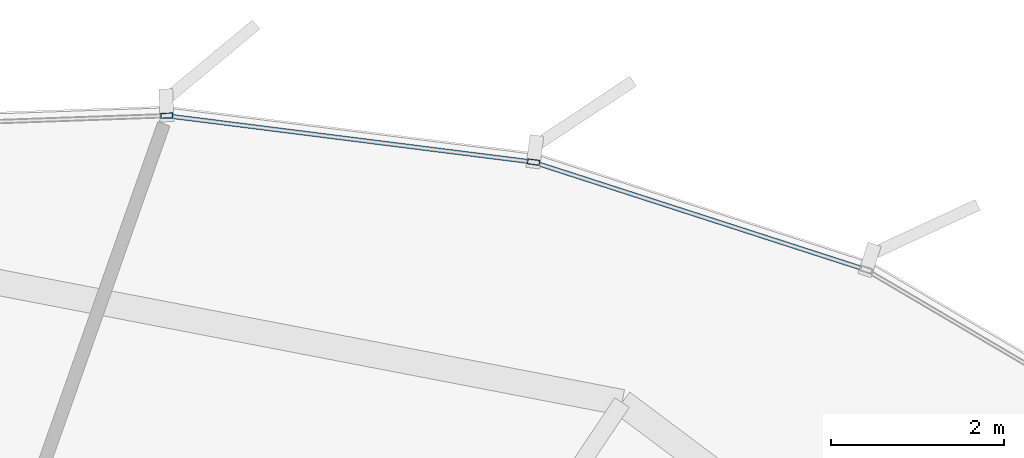
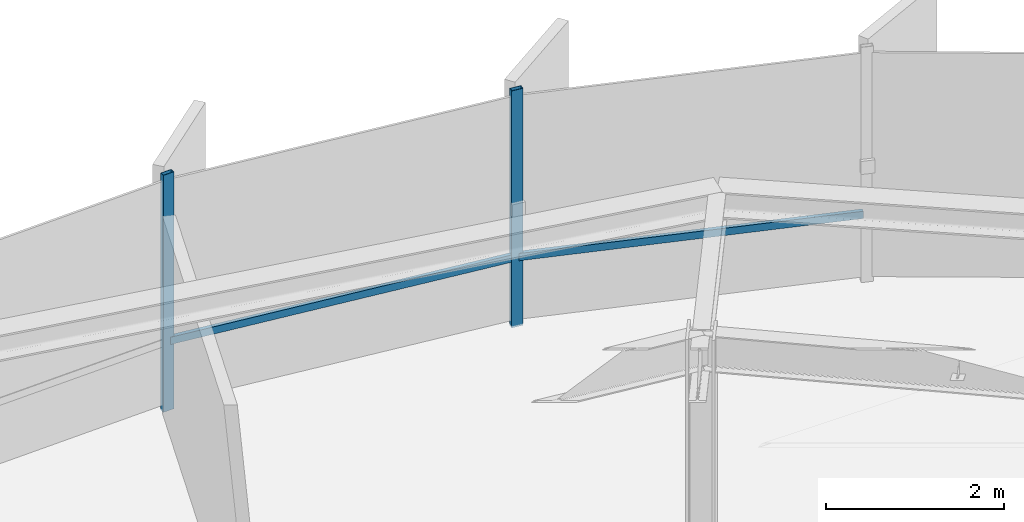
# One storey, part 25 of 34: 4 members, 1 element without a shape of its own.
"""IFC4 building model written with IfcOpenShell, lengths in metres."""

from ifc_helpers import new_model, si_unit, direction, frame, origin, origin_2d, place, context, subcontext, project, spatial, hollow_rectangle, extrude, source, transform, mapped, material, layer, layer_set, material_profile, profile_set, type_object, element, aggregate, save


model = new_model("IFC4")

# Units and contexts
model_context = context("Model", 3, precision=1e-05, world=origin(), true_north=direction((0.0, 1.0)))
body_context = subcontext(model_context, "Body", "Model", "MODEL_VIEW")
ifc_project = project(units=[si_unit("LENGTHUNIT", "METRE"), si_unit("AREAUNIT", "SQUARE_METRE"), si_unit("VOLUMEUNIT", "CUBIC_METRE"), si_unit("PLANEANGLEUNIT", "RADIAN"), si_unit("MASSUNIT", "GRAM", prefix="KILO"), si_unit("THERMODYNAMICTEMPERATUREUNIT", "KELVIN")], contexts=[model_context])

# Site, building, storey
site_placement = place(None, origin())
site = spatial("IfcSite", under=ifc_project, at=site_placement, CompositionType="ELEMENT")
building_placement = place(site_placement, origin())
building = spatial("IfcBuilding", under=site, at=building_placement, Name="Kethvar Cultural Tower", CompositionType="ELEMENT")
storey_placement = place(building_placement, frame((0.0, 0.0, 186.89990234375)))
storey = spatial("IfcBuildingStorey", under=building, at=storey_placement, Name="L48", CompositionType="ELEMENT", Elevation=186.89990234375)

# Curtain wall, members
ifc_material = material(Name="Aluminium 6063-T6", Category="aluminium")
ifc_layer = layer(ifc_material, 0.179931640625, Name="Aluminium 6063-T6", Category="aluminium")
ifc_layer_set = layer_set([ifc_layer], Name="Aluminium 6063-T6 (180 mm)")
curtain_wall_type = type_object("IfcCurtainWallType", Name="CW-SYS-04-Z34", PredefinedType="NOTDEFINED", material=ifc_layer_set)
curtain_wall_placement = place(storey_placement, origin())
curtain_wall = element("IfcCurtainWall", 1, at=curtain_wall_placement, inside=storey, type_object=curtain_wall_type, Name="L48 Curtain Wall Run 01", PredefinedType="NOTDEFINED")
ifc_material_profile_1 = material_profile(ifc_material, hollow_rectangle(XDim=0.06005859375, YDim=0.139892578125, WallThickness=0.0048828125, at=origin_2d()), Name="Aluminium 6063-T6 — RHS140x60x5")
ifc_profile_set_1 = profile_set([ifc_material_profile_1], Name="Aluminium 6063-T6 — RHS140x60x5")
member_type_1 = type_object("IfcMemberType", Name="CW-SYS-04-Z34-MUL", PredefinedType="MULLION", material=ifc_profile_set_1)
shared_shape_1 = source(origin(), body_context, "Body", "SweptSolid", [
    extrude(hollow_rectangle(XDim=0.06005859375, YDim=0.139892578125, WallThickness=0.0048828125, at=origin_2d()), origin(), (0.0, 0.0, 1.0), 3.260009765625),
])
member_1_placement = place(storey_placement, frame((59.318115234375, 50.8369140625, 0.0), z_axis=(0.0, 0.0, 1.0), x_axis=(-0.125229338869, -0.99212782074, 0.0)))
member_1 = element("IfcMember", 2, at=member_1_placement, type_object=member_type_1, Name="CW-L48-R01 Mullion 4", PredefinedType="MULLION", context=body_context, shape_type="MappedRepresentation", body=[
    mapped(shared_shape_1, transform((0.0, 0.0, 0.0), scale=1.0)),
])
member_2_placement = place(storey_placement, frame((55.084716796875, 51.372802734375, 0.0), z_axis=(0.0, 0.0, 1.0), x_axis=(0.035126250388, -0.99938288285, 0.0)))
member_2 = element("IfcMember", 3, at=member_2_placement, type_object=member_type_1, Name="CW-L48-R01 Mullion 5", PredefinedType="MULLION", context=body_context, shape_type="MappedRepresentation", body=[
    mapped(shared_shape_1, transform((0.0, 0.0, 0.0), scale=1.0)),
])
ifc_material_profile_2 = material_profile(ifc_material, hollow_rectangle(XDim=0.050048828125, YDim=0.10009765625, WallThickness=0.00390625, at=origin_2d()), Name="Aluminium 6063-T6 — RHS100x50x4")
ifc_profile_set_2 = profile_set([ifc_material_profile_2], Name="Aluminium 6063-T6 — RHS100x50x4")
member_type_2 = type_object("IfcMemberType", Name="CW-SYS-04-Z34-TRN", PredefinedType="USERDEFINED", material=ifc_profile_set_2)
shared_shape_2 = source(origin(), body_context, "Body", "SweptSolid", [
    extrude(hollow_rectangle(XDim=0.050048828125, YDim=0.10009765625, WallThickness=0.00390625, at=origin_2d()), origin(), (0.0, 0.0, 1.0), 4.1982421875),
])
member_3_placement = place(storey_placement, frame((59.275146484375, 50.84228515625, 0.9501953125), z_axis=(-0.992124138567, 0.125258507384, 0.0), x_axis=(-0.125258507384, -0.992124138567, 0.0)))
member_3 = element("IfcMember", 4, at=member_3_placement, type_object=member_type_2, Name="CW-L48-R01 Transom 4", ObjectType="TRANSOM", PredefinedType="USERDEFINED", context=body_context, shape_type="MappedRepresentation", body=[
    mapped(shared_shape_2, transform((0.0, 0.0, 0.0), scale=1.0)),
])
shared_shape_3 = source(origin(), body_context, "Body", "SweptSolid", [
    extrude(hollow_rectangle(XDim=0.050048828125, YDim=0.10009765625, WallThickness=0.00390625, at=origin_2d()), origin(), (0.0, 0.0, 1.0), 3.970458984375),
])
member_4_placement = place(storey_placement, frame((63.1171875, 49.607421875, 0.9501953125), z_axis=(-0.95156362398, 0.307451897893, 0.0), x_axis=(-0.307451897893, -0.95156362398, 0.0)))
member_4 = element("IfcMember", 5, at=member_4_placement, type_object=member_type_2, Name="CW-L48-R01 Transom 3", ObjectType="TRANSOM", PredefinedType="USERDEFINED", context=body_context, shape_type="MappedRepresentation", body=[
    mapped(shared_shape_3, transform((0.0, 0.0, 0.0), scale=1.0)),
])
aggregate(curtain_wall, [member_1, member_2, member_4, member_3])

save(model, "model.ifc")
